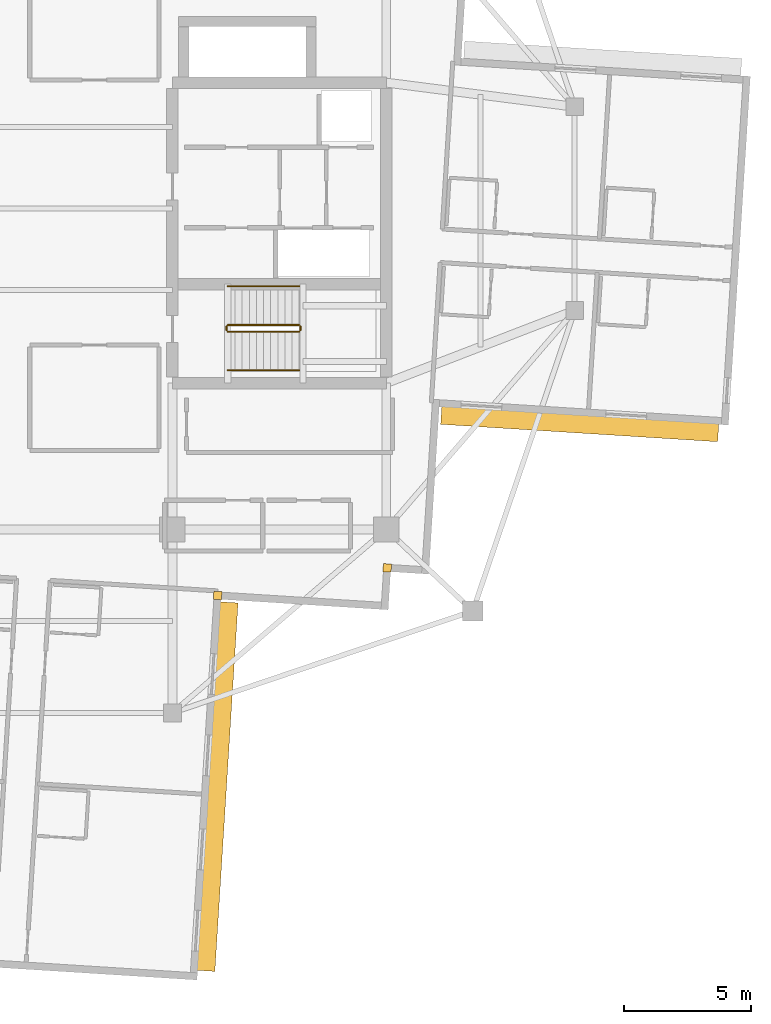
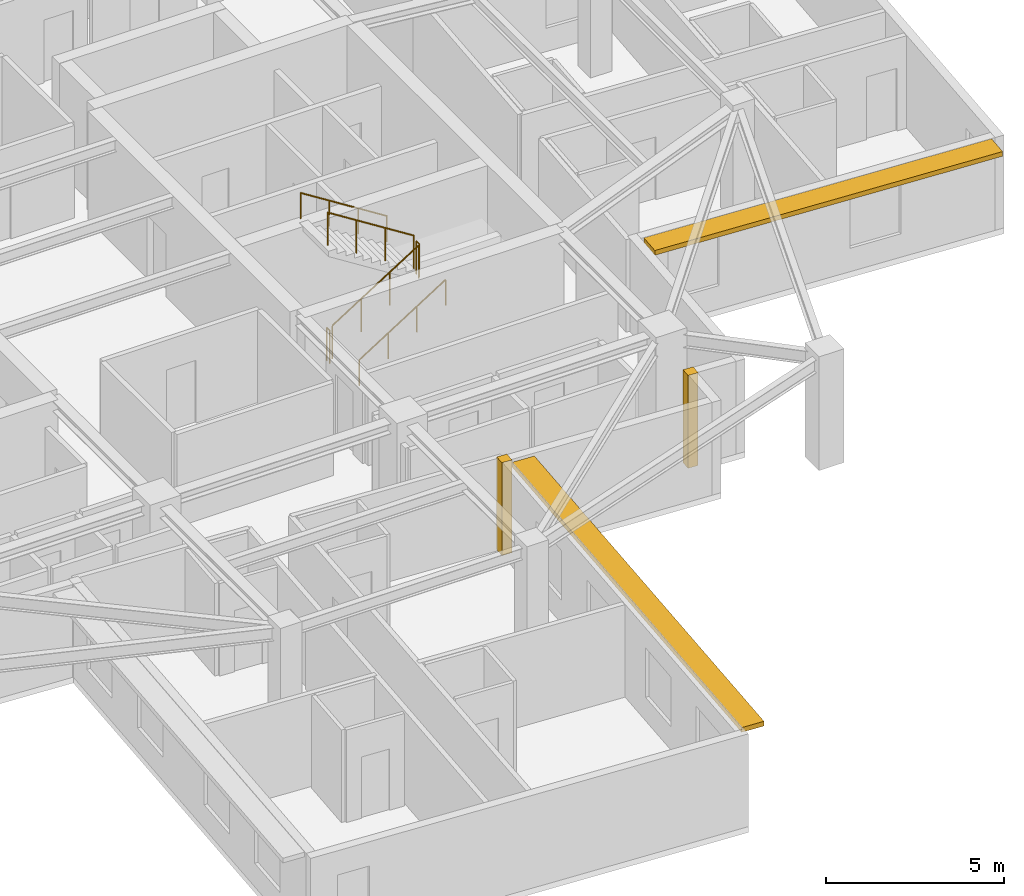
# One storey, part 10 of 12: 6 railings, 2 coverings, 2 shading devices.
"""IFC4 building model written with IfcOpenShell, lengths in metres."""

from ifc_helpers import new_model, si_unit, direction, frame, origin, origin_2d, place, context, subcontext, project, spatial, rectangle, circle, extrude, material, layer, layer_set, type_object, element, save


model = new_model("IFC4")

# Units and contexts
model_context = context("Model", 3, precision=1e-05, world=origin(), true_north=direction((0.0, 1.0)))
body_context = subcontext(model_context, "Body", "Model", "MODEL_VIEW")
ifc_project = project(units=[si_unit("LENGTHUNIT", "METRE"), si_unit("AREAUNIT", "SQUARE_METRE"), si_unit("VOLUMEUNIT", "CUBIC_METRE"), si_unit("PLANEANGLEUNIT", "RADIAN"), si_unit("MASSUNIT", "GRAM", prefix="KILO")], contexts=[model_context])

# Site, building, storey
site_placement = place(None, origin())
site = spatial("IfcSite", under=ifc_project, at=site_placement, CompositionType="ELEMENT")
building_placement = place(site_placement, origin())
building = spatial("IfcBuilding", under=site, at=building_placement, Name="Qingluan Cross Belvedere", CompositionType="ELEMENT")
storey_placement = place(building_placement, frame((0.0, 0.0, 249.89990234375)))
storey = spatial("IfcBuildingStorey", under=building, at=storey_placement, Name="L62", CompositionType="ELEMENT", Elevation=249.89990234375)

# Coverings
ifc_material_1 = material(Name="Precast concrete C45", Category="concrete")
ifc_layer_1 = layer(ifc_material_1, 0.1201171875, Name="ConcreteSpandrelCladding_120")
ifc_layer_set_1 = layer_set([ifc_layer_1], Name="Precast concrete C45")
covering_type = type_object("IfcCoveringType", Name="ConcreteSpandrelCladding_120", PredefinedType="CLADDING", material=ifc_layer_set_1)
for number, where, z_axis, x_axis, name in (
    (1, (12.438720703125, -14.10888671875, 0.0), (0.0, 0.0, 1.0), (0.998026728428, -0.062790519529, 0.0), "Corner closure L62-SE1"),
    (2, (5.77734375, -15.192626953125, 0.0), (0.0, 0.0, 1.0), (0.998026728428, -0.062790519529, 0.0), "Corner closure L62-SE2"),
):
    element("IfcCovering", number, at=place(storey_placement, frame(where, z_axis=z_axis, x_axis=x_axis)), inside=storey, type_object=covering_type, Name=name, PredefinedType="CLADDING", context=body_context, shape_type="SweptSolid", body=[
        extrude(rectangle(XDim=0.320068359375, YDim=0.320068359375, at=origin_2d()), origin(), (0.0, 0.0, 1.0), 3.179931640625),
    ])

# Shading devices
ifc_material_2 = material(Name="Precast concrete C45", Category="concrete")
ifc_layer_2 = layer(ifc_material_2, 0.139892578125, Name="ConcreteSunshadeBand_700")
ifc_layer_set_2 = layer_set([ifc_layer_2], Name="Precast concrete C45")
shading_device_type = type_object("IfcShadingDeviceType", Name="ConcreteSunshadeBand_700", PredefinedType="USERDEFINED", material=ifc_layer_set_2)
shading_device_1_placement = place(storey_placement, frame((19.998046875, -8.46240234375, 3.0), z_axis=(0.0, 0.0, 1.0), x_axis=(0.998026587145, -0.062792765115, 0.0)))
element("IfcShadingDevice", 3, at=shading_device_1_placement, inside=storey, type_object=shading_device_type, Name="Concrete SUNSHADE L62-EA", ObjectType="SUNSHADE", PredefinedType="USERDEFINED", context=body_context, shape_type="SweptSolid", body=[
    extrude(rectangle(XDim=10.89990234375, YDim=0.699951171875, at=origin_2d()), origin(), (0.0, 0.0, 1.0), 0.159912109375),
])
shading_device_2_placement = place(storey_placement, frame((5.776123046875, -22.697509765625, 3.0), z_axis=(0.0, 0.0, 1.0), x_axis=(0.062789090939, 0.998026818306, 0.0)))
element("IfcShadingDevice", 4, at=shading_device_2_placement, inside=storey, type_object=shading_device_type, Name="Concrete SUNSHADE L62-SB", ObjectType="SUNSHADE", PredefinedType="USERDEFINED", context=body_context, shape_type="SweptSolid", body=[
    extrude(rectangle(XDim=14.5, YDim=0.699951171875, at=origin_2d()), origin(), (0.0, 0.0, 1.0), 0.159912109375),
])

# Railings
ifc_material_3 = material(Name="Brushed stainless steel tubular handrail", Category="steel")
railing_type_1 = type_object("IfcRailingType", Name="StairPitchHandrail_900", PredefinedType="HANDRAIL", material=ifc_material_3)
railing_1_placement = place(storey_placement, frame((6.179931640625, -6.35009765625, 0.177490234375)))
element("IfcRailing", 5, at=railing_1_placement, inside=storey, type_object=railing_type_1, Name="L62 ST2 stair handrail 1", PredefinedType="HANDRAIL", context=body_context, shape_type="SweptSolid", body=[
    extrude(circle(Radius=0.02392578125, at=origin_2d()), frame((0.0, 0.0, 0.8759765625), z_axis=(0.844908973607, 0.0, 0.534910110503), x_axis=(0.0, 1.0, 0.0)), (0.0, 0.0, 1.0), 3.31396484375),
    extrude(circle(Radius=0.02099609375, at=origin_2d()), origin(), (0.0, 0.0, 1.0), 0.851806640625),
    extrude(circle(Radius=0.02099609375, at=origin_2d()), frame((0.933349609375, 0.0, 0.5908203125)), (0.0, 0.0, 1.0), 0.851806640625),
    extrude(circle(Radius=0.02099609375, at=origin_2d()), frame((1.86669921875, 0.0, 1.181884765625)), (0.0, 0.0, 1.0), 0.851806640625),
    extrude(circle(Radius=0.02099609375, at=origin_2d()), frame((2.800048828125, 0.0, 1.772705078125)), (0.0, 0.0, 1.0), 0.851806640625),
])
railing_2_placement = place(storey_placement, frame((8.97998046875, -3.050048828125, 2.12744140625)))
element("IfcRailing", 6, at=railing_2_placement, inside=storey, type_object=railing_type_1, Name="L62 ST2 stair handrail 2", PredefinedType="HANDRAIL", context=body_context, shape_type="SweptSolid", body=[
    extrude(circle(Radius=0.02392578125, at=origin_2d()), frame((0.0, 0.0, 0.8759765625), z_axis=(-0.844908973607, 0.0, 0.534910110503), x_axis=(0.0, -1.0, 0.0)), (0.0, 0.0, 1.0), 3.31396484375),
    extrude(circle(Radius=0.02099609375, at=origin_2d()), origin(), (0.0, 0.0, 1.0), 0.851806640625),
    extrude(circle(Radius=0.02099609375, at=origin_2d()), frame((-0.933349609375, 0.0, 0.5908203125)), (0.0, 0.0, 1.0), 0.851806640625),
    extrude(circle(Radius=0.02099609375, at=origin_2d()), frame((-1.86669921875, 0.0, 1.181884765625)), (0.0, 0.0, 1.0), 0.851806640625),
    extrude(circle(Radius=0.02099609375, at=origin_2d()), frame((-2.800048828125, 0.0, 1.772705078125)), (0.0, 0.0, 1.0), 0.851806640625),
])
ifc_material_4 = material(Name="Painted steel stair well guard", Category="steel")
railing_type_2 = type_object("IfcRailingType", Name="StairWellGuard_1150", PredefinedType="BALUSTRADE", material=ifc_material_4)
railing_3_placement = place(storey_placement, frame((6.179931640625, -4.830078125, 0.177490234375)))
element("IfcRailing", 7, at=railing_3_placement, inside=storey, type_object=railing_type_2, Name="L62 ST2 stair guard 1", PredefinedType="BALUSTRADE", context=body_context, shape_type="SweptSolid", body=[
    extrude(circle(Radius=0.02392578125, at=origin_2d()), frame((0.0, 0.0, 1.1259765625), z_axis=(0.844908973607, 0.0, 0.534910110503), x_axis=(0.0, 1.0, 0.0)), (0.0, 0.0, 1.0), 3.31396484375),
    extrude(circle(Radius=0.02099609375, at=origin_2d()), origin(), (0.0, 0.0, 1.0), 1.101806640625),
    extrude(circle(Radius=0.02099609375, at=origin_2d()), frame((0.933349609375, 0.0, 0.5908203125)), (0.0, 0.0, 1.0), 1.101806640625),
    extrude(circle(Radius=0.02099609375, at=origin_2d()), frame((1.86669921875, 0.0, 1.181884765625)), (0.0, 0.0, 1.0), 1.101806640625),
    extrude(circle(Radius=0.02099609375, at=origin_2d()), frame((2.800048828125, 0.0, 1.772705078125)), (0.0, 0.0, 1.0), 1.101806640625),
])
railing_4_placement = place(storey_placement, frame((9.030029296875, -4.780029296875, 1.9501953125)))
element("IfcRailing", 8, at=railing_4_placement, inside=storey, type_object=railing_type_2, Name="L62 ST2 stair guard 2", PredefinedType="BALUSTRADE", context=body_context, shape_type="SweptSolid", body=[
    extrude(circle(Radius=0.02392578125, at=origin_2d()), frame((0.0, 0.0, 1.1259765625), z_axis=(0.0, 1.0, 0.0), x_axis=(-1.0, 0.0, 0.0)), (0.0, 0.0, 1.0), 0.159912109375),
    extrude(circle(Radius=0.02099609375, at=origin_2d()), origin(), (0.0, 0.0, 1.0), 1.101806640625),
    extrude(circle(Radius=0.02099609375, at=origin_2d()), frame((0.0, 0.159912109375, 0.0)), (0.0, 0.0, 1.0), 1.101806640625),
])
railing_5_placement = place(storey_placement, frame((8.97998046875, -4.570068359375, 2.12744140625)))
element("IfcRailing", 9, at=railing_5_placement, inside=storey, type_object=railing_type_2, Name="L62 ST2 stair guard 3", PredefinedType="BALUSTRADE", context=body_context, shape_type="SweptSolid", body=[
    extrude(circle(Radius=0.02392578125, at=origin_2d()), frame((0.0, 0.0, 1.1259765625), z_axis=(-0.844908973607, 0.0, 0.534910110503), x_axis=(0.0, -1.0, 0.0)), (0.0, 0.0, 1.0), 3.31396484375),
    extrude(circle(Radius=0.02099609375, at=origin_2d()), origin(), (0.0, 0.0, 1.0), 1.101806640625),
    extrude(circle(Radius=0.02099609375, at=origin_2d()), frame((-0.933349609375, 0.0, 0.5908203125)), (0.0, 0.0, 1.0), 1.101806640625),
    extrude(circle(Radius=0.02099609375, at=origin_2d()), frame((-1.86669921875, 0.0, 1.181884765625)), (0.0, 0.0, 1.0), 1.101806640625),
    extrude(circle(Radius=0.02099609375, at=origin_2d()), frame((-2.800048828125, 0.0, 1.772705078125)), (0.0, 0.0, 1.0), 1.101806640625),
])
railing_6_placement = place(storey_placement, frame((6.1298828125, -4.780029296875, 0.0)))
element("IfcRailing", 10, at=railing_6_placement, inside=storey, type_object=railing_type_2, Name="L62 ST2 stair guard 4", PredefinedType="BALUSTRADE", context=body_context, shape_type="SweptSolid", body=[
    extrude(circle(Radius=0.02392578125, at=origin_2d()), frame((0.0, 0.0, 1.1259765625), z_axis=(0.0, 1.0, 0.0), x_axis=(-1.0, 0.0, 0.0)), (0.0, 0.0, 1.0), 0.159912109375),
    extrude(circle(Radius=0.02099609375, at=origin_2d()), origin(), (0.0, 0.0, 1.0), 1.101806640625),
    extrude(circle(Radius=0.02099609375, at=origin_2d()), frame((0.0, 0.159912109375, 0.0)), (0.0, 0.0, 1.0), 1.101806640625),
])

save(model, "model.ifc")
